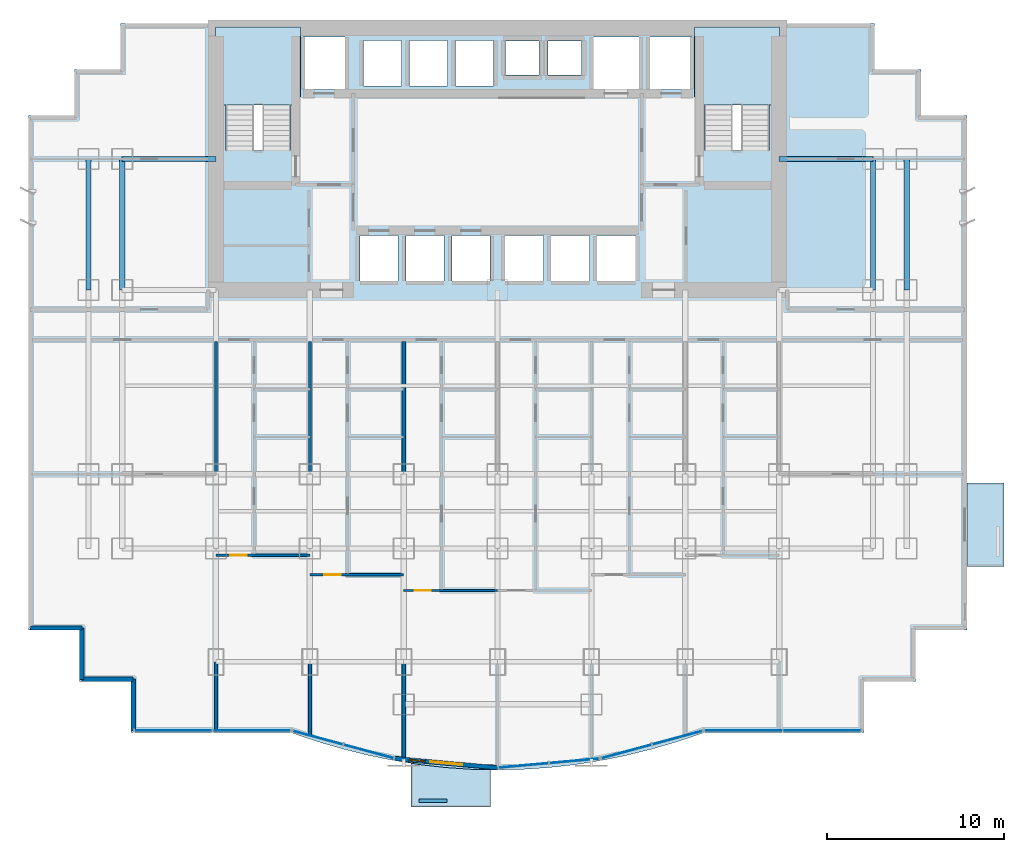
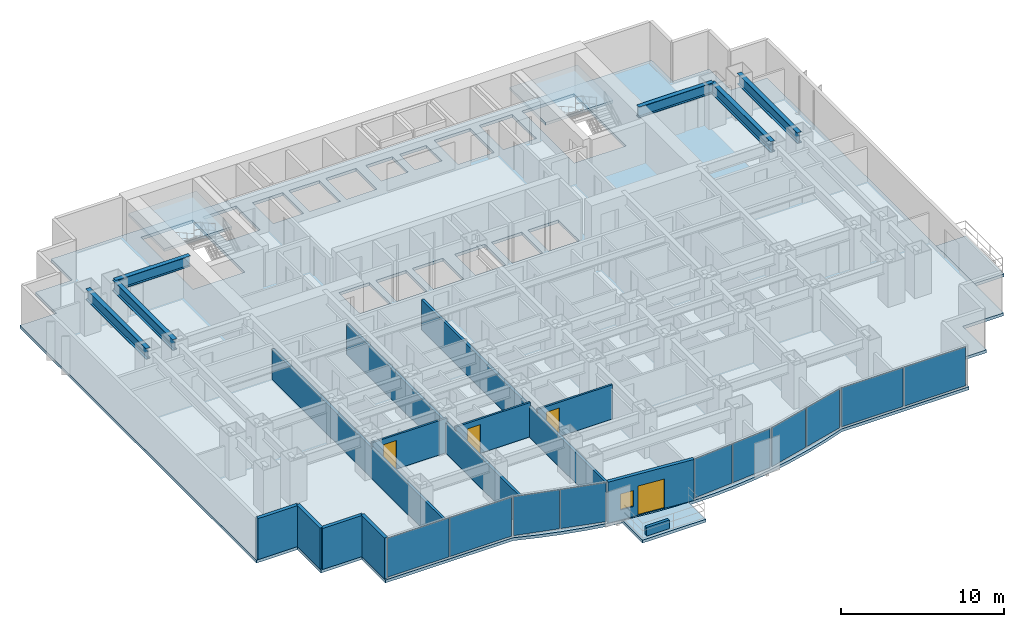
# One storey, part 4 of 10: 12 walls, 10 plates, 6 beams, 5 slabs, 4 doors, 1 window, 5 openings, 7 elements without a shape of their own.
"""IFC4 building model written with IfcOpenShell, lengths in metres."""

from ifc_helpers import new_model, si_unit, direction, frame, frame_2d, origin, origin_2d, place, context, subcontext, project, spatial, polyline, rectangle, i_section, outline, extrude, source, transform, mapped, material, layer, layer_set, material_profile, profile_set, type_object, element, fill, aggregate, save


model = new_model("IFC4")

# Units and contexts
model_context = context("Model", 3, precision=1e-05, world=origin(), true_north=direction((0.0, 1.0)))
body_context = subcontext(model_context, "Body", "Model", "MODEL_VIEW")
ifc_project = project(units=[si_unit("LENGTHUNIT", "METRE"), si_unit("AREAUNIT", "SQUARE_METRE"), si_unit("VOLUMEUNIT", "CUBIC_METRE"), si_unit("PLANEANGLEUNIT", "RADIAN"), si_unit("MASSUNIT", "GRAM", prefix="KILO")], contexts=[model_context])

# Site, building, storey
site_placement = place(None, origin())
site = spatial("IfcSite", under=ifc_project, at=site_placement, CompositionType="ELEMENT")
building_placement = place(site_placement, origin())
building = spatial("IfcBuilding", under=site, at=building_placement, Name="Qianlan Lanfeng Residences", CompositionType="ELEMENT")
storey_placement = place(building_placement, frame((0.0, 0.0, 30.800048828125)))
storey = spatial("IfcBuildingStorey", under=building, at=storey_placement, Name="L07", CompositionType="ELEMENT", Elevation=30.800048828125)

# Beams
ifc_material_1 = material(Name="Steel SN490B", Category="steel")
ifc_material_profile = material_profile(ifc_material_1, i_section(OverallWidth=0.300048828125, OverallDepth=0.800048828125, WebThickness=0.01611328125, FlangeThickness=0.028076171875, at=origin_2d()), Name="H 800x300x16x28")
ifc_profile_set = profile_set([ifc_material_profile], Name="Steel SN490B")
beam_type = type_object("IfcBeamType", Name="G-950", PredefinedType="BEAM", material=ifc_profile_set)
for number, where, z_axis, x_axis, name in (
    (1, (5.300048828125, 32.60009765625, 2.679931640625), (1.0, 0.0, 0.0), (0.0, 1.0, 0.0), "Structural beam G-950"),
    (2, (42.39990234375, 32.60009765625, 2.679931640625), (1.0, 0.0, 0.0), (0.0, 1.0, 0.0), "Structural beam G-950"),
):
    element("IfcBeam", number, at=place(storey_placement, frame(where, z_axis=z_axis, x_axis=x_axis)), inside=storey, type_object=beam_type, Name=name, PredefinedType="BEAM", context=body_context, shape_type="SweptSolid", body=[
        extrude(i_section(OverallWidth=0.300048828125, OverallDepth=0.800048828125, WebThickness=0.01611328125, FlangeThickness=0.028076171875, at=origin_2d()), origin(), (0.0, 0.0, 1.0), 5.300048828125),
    ])
for number, where, z_axis, x_axis, name in (
    (3, (3.39990234375, 25.199951171875, 2.679931640625), (0.0, 1.0, 0.0), (-1.0, 0.0, 0.0), "Structural beam G-950"),
    (4, (5.300048828125, 25.199951171875, 2.679931640625), (0.0, 1.0, 0.0), (-1.0, 0.0, 0.0), "Structural beam G-950"),
    (5, (47.699951171875, 25.199951171875, 2.679931640625), (0.0, 1.0, 0.0), (-1.0, 0.0, 0.0), "Structural beam G-950"),
    (6, (49.60009765625, 25.199951171875, 2.679931640625), (0.0, 1.0, 0.0), (-1.0, 0.0, 0.0), "Structural beam G-950"),
):
    element("IfcBeam", number, at=place(storey_placement, frame(where, z_axis=z_axis, x_axis=x_axis)), inside=storey, type_object=beam_type, Name=name, PredefinedType="BEAM", context=body_context, shape_type="SweptSolid", body=[
        extrude(i_section(OverallWidth=0.300048828125, OverallDepth=0.800048828125, WebThickness=0.01611328125, FlangeThickness=0.028076171875, at=origin_2d()), origin(), (0.0, 0.0, 1.0), 7.400146484375),
    ])

# Slabs
ifc_material_2 = material(Name="Concrete C42", Category="concrete")
ifc_layer_1 = layer(ifc_material_2, 0.219970703125)
ifc_layer_set_1 = layer_set([ifc_layer_1], Name="Concrete C42")
slab_type_1 = type_object("IfcSlabType", Name="S-BAL-220", PredefinedType="FLOOR", material=ifc_layer_set_1)
slab_1_placement = place(storey_placement, frame((0.0, 0.0, -0.219970703125)))
element("IfcSlab", 7, at=slab_1_placement, inside=storey, type_object=slab_type_1, Name="L07 Planted Tree Balcony Slab SB-C", PredefinedType="FLOOR", context=body_context, shape_type="SweptSolid", body=[
    extrude(outline(polyline([(26.10009765625, -1.89111328125), (25.0439453125, -1.866943359375), (23.5869140625, -1.76904296875), (22.131103515625, -1.60498046875), (21.60009765625, -1.52099609375), (21.60009765625, -4.0), (26.10009765625, -4.0), (26.10009765625, -1.89111328125)])), origin(), (0.0, 0.0, 1.0), 0.219970703125),
])
slab_2_placement = place(storey_placement, frame((0.0, 0.0, -0.219970703125)))
element("IfcSlab", 8, at=slab_2_placement, inside=storey, type_object=slab_type_1, Name="L07 Planted Tree Balcony Slab EB-S", PredefinedType="FLOOR", context=body_context, shape_type="SweptSolid", body=[
    extrude(outline(polyline([(53.0, 14.300048828125), (53.0, 9.60009765625), (55.10009765625, 9.60009765625), (55.10009765625, 14.300048828125), (53.0, 14.300048828125)])), origin(), (0.0, 0.0, 1.0), 0.219970703125),
])
ifc_layer_2 = layer(ifc_material_2, 0.219970703125)
ifc_layer_set_2 = layer_set([ifc_layer_2], Name="Concrete C42")
slab_type_2 = type_object("IfcSlabType", Name="S-FL-220", PredefinedType="FLOOR", material=ifc_layer_set_2)
slab_3_placement = place(storey_placement, frame((0.0, 0.0, -0.219970703125)))
element("IfcSlab", 9, at=slab_3_placement, inside=storey, type_object=slab_type_2, Name="L07 Structural Floor Slab", PredefinedType="FLOOR", context=body_context, shape_type="SweptSolid", body=[
    extrude(outline(polyline([(0.0, 6.0), (2.89990234375, 6.0), (2.89990234375, 3.10009765625), (5.800048828125, 3.10009765625), (5.800048828125, 0.199951171875), (14.85009765625, 0.199951171875), (16.305908203125, -0.2919921875), (17.761962890625, -0.718994140625), (19.218994140625, -1.080078125), (20.675048828125, -1.375), (22.131103515625, -1.60498046875), (23.5869140625, -1.76904296875), (25.0439453125, -1.866943359375), (26.5, -1.89990234375), (27.9560546875, -1.866943359375), (29.412109375, -1.76904296875), (30.868896484375, -1.60498046875), (32.324951171875, -1.375), (33.781005859375, -1.080078125), (35.237060546875, -0.718994140625), (36.694091796875, -0.2919921875), (38.14990234375, 0.199951171875), (47.199951171875, 0.199951171875), (47.199951171875, 3.10009765625), (50.10009765625, 3.10009765625), (50.10009765625, 6.0), (53.0, 6.0), (53.0, 35.050048828125), (50.39990234375, 35.050048828125), (50.39990234375, 37.64990234375), (47.800048828125, 37.64990234375), (47.800048828125, 40.25), (5.199951171875, 40.25), (5.199951171875, 37.64990234375), (2.60009765625, 37.64990234375), (2.60009765625, 35.050048828125), (0.0, 35.050048828125), (0.0, 6.0)]), holes=[polyline([(11.139892578125, 33.080078125), (11.139892578125, 39.5), (14.820068359375, 39.5), (14.820068359375, 33.080078125), (11.139892578125, 33.080078125)]), polyline([(38.179931640625, 33.080078125), (38.179931640625, 39.5), (41.860107421875, 39.5), (41.860107421875, 33.080078125), (38.179931640625, 33.080078125)]), polyline([(15.52001953125, 36.52001953125), (15.52001953125, 39.47998046875), (17.8798828125, 39.47998046875), (17.8798828125, 36.52001953125), (15.52001953125, 36.52001953125)]), polyline([(35.1201171875, 36.52001953125), (35.1201171875, 39.47998046875), (37.47998046875, 39.47998046875), (37.47998046875, 36.52001953125), (35.1201171875, 36.52001953125)]), polyline([(31.919921875, 36.52001953125), (31.919921875, 39.47998046875), (34.47998046875, 39.47998046875), (34.47998046875, 36.52001953125), (31.919921875, 36.52001953125)]), polyline([(18.719970703125, 25.719970703125), (18.719970703125, 28.280029296875), (20.8798828125, 28.280029296875), (20.8798828125, 25.719970703125), (18.719970703125, 25.719970703125)]), polyline([(21.320068359375, 25.719970703125), (21.320068359375, 28.280029296875), (23.47998046875, 28.280029296875), (23.47998046875, 25.719970703125), (21.320068359375, 25.719970703125)]), polyline([(23.919921875, 25.719970703125), (23.919921875, 28.280029296875), (26.080078125, 28.280029296875), (26.080078125, 25.719970703125), (23.919921875, 25.719970703125)]), polyline([(26.919921875, 25.719970703125), (26.919921875, 28.280029296875), (29.080078125, 28.280029296875), (29.080078125, 25.719970703125), (26.919921875, 25.719970703125)]), polyline([(29.52001953125, 25.719970703125), (29.52001953125, 28.280029296875), (31.679931640625, 28.280029296875), (31.679931640625, 25.719970703125), (29.52001953125, 25.719970703125)]), polyline([(32.1201171875, 25.719970703125), (32.1201171875, 28.280029296875), (34.280029296875, 28.280029296875), (34.280029296875, 25.719970703125), (32.1201171875, 25.719970703125)]), polyline([(18.919921875, 36.719970703125), (18.919921875, 39.280029296875), (21.080078125, 39.280029296875), (21.080078125, 36.719970703125), (18.919921875, 36.719970703125)]), polyline([(21.52001953125, 36.719970703125), (21.52001953125, 39.280029296875), (23.679931640625, 39.280029296875), (23.679931640625, 36.719970703125), (21.52001953125, 36.719970703125)]), polyline([(24.1201171875, 36.719970703125), (24.1201171875, 39.280029296875), (26.280029296875, 39.280029296875), (26.280029296875, 36.719970703125), (24.1201171875, 36.719970703125)]), polyline([(26.949951171875, 37.35009765625), (26.949951171875, 39.25), (28.85009765625, 39.25), (28.85009765625, 37.35009765625), (26.949951171875, 37.35009765625)]), polyline([(29.35009765625, 37.35009765625), (29.35009765625, 39.25), (31.25, 39.25), (31.25, 37.35009765625), (29.35009765625, 37.35009765625)])]), origin(), (0.0, 0.0, 1.0), 0.219970703125),
])

# Stair, slab
stair_type = type_object("IfcStairType", Name="STR-MAIN", PredefinedType="HALF_TURN_STAIR", material=ifc_material_2)
stair_1_placement = place(storey_placement, origin())
stair_1 = element("IfcStair", 10, at=stair_1_placement, inside=storey, type_object=stair_type, Name="L07 Exit Stair ST-1", PredefinedType="HALF_TURN_STAIR")
ifc_layer_3 = layer(ifc_material_2, 0.179931640625)
ifc_layer_set_3 = layer_set([ifc_layer_3], Name="Concrete C42")
slab_type_3 = type_object("IfcSlabType", Name="S-LND-180", PredefinedType="LANDING", material=ifc_layer_set_3)
slab_4_placement = place(storey_placement, frame((0.0, 0.0, 1.449951171875)))
slab_4 = element("IfcSlab", 11, at=slab_4_placement, type_object=slab_type_3, Name="ST-1 landing 1", PredefinedType="LANDING", context=body_context, shape_type="SweptSolid", body=[
    extrude(outline(polyline([(10.580078125, 35.659912109375), (15.3798828125, 35.659912109375), (15.3798828125, 40.050048828125), (10.580078125, 40.050048828125), (10.580078125, 35.659912109375)])), origin(), (0.0, 0.0, 1.0), 0.199951171875),
])
aggregate(stair_1, [slab_4])

stair_2_placement = place(storey_placement, origin())
stair_2 = element("IfcStair", 12, at=stair_2_placement, inside=storey, type_object=stair_type, Name="L07 Exit Stair ST-2", PredefinedType="HALF_TURN_STAIR")
slab_5_placement = place(storey_placement, frame((0.0, 0.0, 1.449951171875)))
slab_5 = element("IfcSlab", 13, at=slab_5_placement, type_object=slab_type_3, Name="ST-2 landing 1", PredefinedType="LANDING", context=body_context, shape_type="SweptSolid", body=[
    extrude(outline(polyline([(37.6201171875, 35.659912109375), (42.419921875, 35.659912109375), (42.419921875, 40.050048828125), (37.6201171875, 40.050048828125), (37.6201171875, 35.659912109375)])), origin(), (0.0, 0.0, 1.0), 0.199951171875),
])
aggregate(stair_2, [slab_5])

# Curtain wall, plate
ifc_material_3 = material(Name="Anodised Bronze Aluminium 6063-T6", Category="aluminium")
ifc_layer_4 = layer(ifc_material_3, 0.219970703125)
ifc_layer_set_4 = layer_set([ifc_layer_4], Name="Anodised Bronze Aluminium 6063-T6")
curtain_wall_type = type_object("IfcCurtainWallType", Name="CW-02", PredefinedType="NOTDEFINED", material=ifc_layer_set_4)
curtain_wall_1_placement = place(storey_placement, origin())
curtain_wall_1 = element("IfcCurtainWall", 14, at=curtain_wall_1_placement, inside=storey, type_object=curtain_wall_type, Name="L07 Unitised Curtain Wall CWR-L07-02 (CW-02)", PredefinedType="NOTDEFINED")
ifc_material_4 = material(Name="Dark Bronze Tinted Insulated Glass", Category="glass")
ifc_layer_5 = layer(ifc_material_4, 0.0380859375)
ifc_layer_set_5 = layer_set([ifc_layer_5], Name="Dark Bronze Tinted Insulated Glass")
plate_type_1 = type_object("IfcPlateType", Name="PNL-GLZ-BRZ", PredefinedType="CURTAIN_PANEL", material=ifc_layer_set_5)
shared_shape_1 = source(origin(), body_context, "Body", "SweptSolid", [
    extrude(rectangle(XDim=2.89990234375, YDim=0.0380859375, at=origin_2d()), origin(), (0.0, 0.0, 1.0), 2.922119140625),
])
plate_1_placement = place(storey_placement, frame((16.345703125, -0.07958984375, 0.0791015625), z_axis=(0.0, 0.0, 1.0), x_axis=(0.9652627173, -0.261281240412, 0.0)))
plate_1 = element("IfcPlate", 15, at=plate_1_placement, type_object=plate_type_1, Name="CWR-L07-02 Curtain Panel 1", PredefinedType="CURTAIN_PANEL", context=body_context, shape_type="MappedRepresentation", body=[
    mapped(shared_shape_1, transform((0.0, 0.0, 0.0), scale=1.0)),
])

curtain_wall_2_placement = place(storey_placement, origin())
curtain_wall_2 = element("IfcCurtainWall", 16, at=curtain_wall_2_placement, inside=storey, type_object=curtain_wall_type, Name="L07 Unitised Curtain Wall CWR-L07-04 (CW-02)", PredefinedType="NOTDEFINED")
plate_2_placement = place(storey_placement, frame((33.77978515625, -0.857421875, 0.0791015625), z_axis=(0.0, 0.0, 1.0), x_axis=(0.9652627173, 0.261281240412, 0.0)))
plate_2 = element("IfcPlate", 17, at=plate_2_placement, type_object=plate_type_1, Name="CWR-L07-04 Curtain Panel 1", PredefinedType="CURTAIN_PANEL", context=body_context, shape_type="MappedRepresentation", body=[
    mapped(shared_shape_1, transform((0.0, 0.0, 0.0), scale=1.0)),
])

# Curtain wall, plates
curtain_wall_3_placement = place(storey_placement, origin())
curtain_wall_3 = element("IfcCurtainWall", 18, at=curtain_wall_3_placement, inside=storey, type_object=curtain_wall_type, Name="L07 Unitised Curtain Wall CWR-L07-03 (CW-02)", PredefinedType="NOTDEFINED")
shared_shape_2 = source(origin(), body_context, "Body", "SweptSolid", [
    extrude(rectangle(XDim=2.7958984375, YDim=0.0380859375, at=origin_2d()), origin(), (0.0, 0.0, 1.0), 2.922119140625),
])
plate_3_placement = place(storey_placement, frame((27.970947265625, -1.6474609375, 0.0791015625), z_axis=(0.0, 0.0, 1.0), x_axis=(0.995964677764, 0.089746089862, 0.0)))
plate_3 = element("IfcPlate", 19, at=plate_3_placement, type_object=plate_type_1, Name="CWR-L07-03 Curtain Panel 1", PredefinedType="CURTAIN_PANEL", context=body_context, shape_type="MappedRepresentation", body=[
    mapped(shared_shape_2, transform((0.0, 0.0, 0.0), scale=1.0)),
])
shared_shape_3 = source(origin(), body_context, "Body", "SweptSolid", [
    extrude(rectangle(XDim=2.795654296875, YDim=0.0380859375, at=origin_2d()), origin(), (0.0, 0.0, 1.0), 2.922119140625),
])
plate_4_placement = place(storey_placement, frame((30.8330078125, -1.389404296875, 0.0791015625), z_axis=(0.0, 0.0, 1.0), x_axis=(0.995964677764, 0.089746089862, 0.0)))
plate_4 = element("IfcPlate", 20, at=plate_4_placement, type_object=plate_type_1, Name="CWR-L07-03 Curtain Panel 2", PredefinedType="CURTAIN_PANEL", context=body_context, shape_type="MappedRepresentation", body=[
    mapped(shared_shape_3, transform((0.0, 0.0, 0.0), scale=1.0)),
])
aggregate(curtain_wall_3, [plate_3, plate_4])

# Plate
ifc_material_5 = material(Name="Perforated Anodised Bronze Aluminium Panel", Category="aluminium")
ifc_layer_6 = layer(ifc_material_5, 0.0419921875)
ifc_layer_set_6 = layer_set([ifc_layer_6], Name="Perforated Anodised Bronze Aluminium Panel")
plate_type_2 = type_object("IfcPlateType", Name="PNL-PRF-BRZ", PredefinedType="CURTAIN_PANEL", material=ifc_layer_set_6)
shared_shape_4 = source(origin(), body_context, "Body", "SweptSolid", [
    extrude(rectangle(XDim=2.89990234375, YDim=0.0419921875, at=origin_2d()), origin(), (0.0, 0.0, 1.0), 2.922119140625),
])
plate_5_placement = place(storey_placement, frame((19.22021484375, -0.857421875, 0.0791015625), z_axis=(0.0, 0.0, 1.0), x_axis=(0.9652627173, -0.261281240412, 0.0)))
plate_5 = element("IfcPlate", 21, at=plate_5_placement, type_object=plate_type_2, Name="CWR-L07-02 Curtain Panel 2", PredefinedType="CURTAIN_PANEL", context=body_context, shape_type="MappedRepresentation", body=[
    mapped(shared_shape_4, transform((0.0, 0.0, 0.0), scale=1.0)),
])

aggregate(curtain_wall_1, [plate_1, plate_5])

plate_6_placement = place(storey_placement, frame((36.654296875, -0.07958984375, 0.0791015625), z_axis=(0.0, 0.0, 1.0), x_axis=(0.9652627173, 0.261281240412, 0.0)))
plate_6 = element("IfcPlate", 22, at=plate_6_placement, type_object=plate_type_2, Name="CWR-L07-04 Curtain Panel 2", PredefinedType="CURTAIN_PANEL", context=body_context, shape_type="MappedRepresentation", body=[
    mapped(shared_shape_4, transform((0.0, 0.0, 0.0), scale=1.0)),
])

aggregate(curtain_wall_2, [plate_2, plate_6])

# Curtain wall, plates
curtain_wall_4_placement = place(storey_placement, origin())
curtain_wall_4 = element("IfcCurtainWall", 23, at=curtain_wall_4_placement, inside=storey, type_object=curtain_wall_type, Name="L07 Unitised Curtain Wall CWR-L07-01 (CW-02)", PredefinedType="NOTDEFINED")
shared_shape_5 = source(origin(), body_context, "Body", "SweptSolid", [
    extrude(rectangle(XDim=4.35693359375, YDim=0.0380859375, at=origin_2d()), origin(), (0.0, 0.0, 1.0), 2.922119140625),
])
plate_7_placement = place(storey_placement, frame((8.177490234375, 0.320068359375, 0.0791015625), z_axis=(0.0, 0.0, 1.0), x_axis=(1.0, 0.0, 0.0)))
plate_7 = element("IfcPlate", 24, at=plate_7_placement, type_object=plate_type_1, Name="CWR-L07-01 Curtain Panel 1", PredefinedType="CURTAIN_PANEL", context=body_context, shape_type="MappedRepresentation", body=[
    mapped(shared_shape_5, transform((0.0, 0.0, 0.0), scale=1.0)),
])
plate_8_placement = place(storey_placement, frame((12.612548828125, 0.320068359375, 0.0791015625), z_axis=(0.0, 0.0, 1.0), x_axis=(1.0, 0.0, 0.0)))
plate_8 = element("IfcPlate", 25, at=plate_8_placement, type_object=plate_type_1, Name="CWR-L07-01 Curtain Panel 2", PredefinedType="CURTAIN_PANEL", context=body_context, shape_type="MappedRepresentation", body=[
    mapped(shared_shape_5, transform((0.0, 0.0, 0.0), scale=1.0)),
])
aggregate(curtain_wall_4, [plate_7, plate_8])

curtain_wall_5_placement = place(storey_placement, origin())
curtain_wall_5 = element("IfcCurtainWall", 26, at=curtain_wall_5_placement, inside=storey, type_object=curtain_wall_type, Name="L07 Unitised Curtain Wall CWR-L07-05 (CW-02)", PredefinedType="NOTDEFINED")
plate_9_placement = place(storey_placement, frame((40.387451171875, 0.320068359375, 0.0791015625), z_axis=(0.0, 0.0, 1.0), x_axis=(1.0, 0.0, 0.0)))
plate_9 = element("IfcPlate", 27, at=plate_9_placement, type_object=plate_type_1, Name="CWR-L07-05 Curtain Panel 1", PredefinedType="CURTAIN_PANEL", context=body_context, shape_type="MappedRepresentation", body=[
    mapped(shared_shape_5, transform((0.0, 0.0, 0.0), scale=1.0)),
])
plate_10_placement = place(storey_placement, frame((44.822509765625, 0.320068359375, 0.0791015625), z_axis=(0.0, 0.0, 1.0), x_axis=(1.0, 0.0, 0.0)))
plate_10 = element("IfcPlate", 28, at=plate_10_placement, type_object=plate_type_1, Name="CWR-L07-05 Curtain Panel 2", PredefinedType="CURTAIN_PANEL", context=body_context, shape_type="MappedRepresentation", body=[
    mapped(shared_shape_5, transform((0.0, 0.0, 0.0), scale=1.0)),
])
aggregate(curtain_wall_5, [plate_9, plate_10])

# Walls
ifc_layer_7 = layer(ifc_material_2, 0.239990234375)
ifc_layer_set_7 = layer_set([ifc_layer_7], Name="Concrete C42")
wall_type_1 = type_object("IfcWallType", Name="EW-240", PredefinedType="SOLIDWALL", material=ifc_layer_set_7)
wall_1_placement = place(storey_placement, frame((0.1201171875, 6.1201171875, 0.0), z_axis=(0.0, 0.0, 1.0), x_axis=(1.0, 0.0, 0.0)))
element("IfcWall", 29, at=wall_1_placement, inside=storey, type_object=wall_type_1, Name="L07 Exterior Facade Spandrel Wall 1", PredefinedType="SOLIDWALL", context=body_context, shape_type="SweptSolid", body=[
    extrude(rectangle(XDim=2.89990234375, YDim=0.239990234375, at=frame_2d((1.449951171875, 0.0))), origin(), (0.0, 0.0, 1.0), 3.079833984375),
])
wall_2_placement = place(storey_placement, frame((3.02001953125, 6.1201171875, 0.0), z_axis=(0.0, 0.0, 1.0), x_axis=(0.0, -1.0, 0.0)))
element("IfcWall", 30, at=wall_2_placement, inside=storey, type_object=wall_type_1, Name="L07 Exterior Facade Spandrel Wall 2", PredefinedType="SOLIDWALL", context=body_context, shape_type="SweptSolid", body=[
    extrude(rectangle(XDim=2.900146484375, YDim=0.239990234375, at=frame_2d((1.4501953125, 0.0))), origin(), (0.0, 0.0, 1.0), 3.079833984375),
])
for number, where, z_axis, x_axis, name in (
    (31, (3.02001953125, 3.219970703125, 0.0), (0.0, 0.0, 1.0), (1.0, 0.0, 0.0), "L07 Exterior Facade Spandrel Wall 3"),
    (32, (5.919921875, 3.219970703125, 0.0), (0.0, 0.0, 1.0), (0.0, -1.0, 0.0), "L07 Exterior Facade Spandrel Wall 4"),
):
    element("IfcWall", number, at=place(storey_placement, frame(where, z_axis=z_axis, x_axis=x_axis)), inside=storey, type_object=wall_type_1, Name=name, PredefinedType="SOLIDWALL", context=body_context, shape_type="SweptSolid", body=[
        extrude(rectangle(XDim=2.89990234375, YDim=0.239990234375, at=frame_2d((1.449951171875, 0.0))), origin(), (0.0, 0.0, 1.0), 3.079833984375),
    ])

# Wall, openings, door, window
wall_3_placement = place(storey_placement, frame((20.696044921875, -1.257080078125, 0.0), z_axis=(0.0, 0.0, 1.0), x_axis=(0.995965344947, -0.089738685436, 0.0)))
wall_3 = element("IfcWall", 33, at=wall_3_placement, inside=storey, type_object=wall_type_1, Name="L07 Terrace/Balcony Access Exterior Wall 5", PredefinedType="SOLIDWALL", context=body_context, shape_type="SweptSolid", body=[
    extrude(rectangle(XDim=5.827392578125, YDim=0.239990234375, at=frame_2d((2.91357421875, 0.0))), origin(), (0.0, 0.0, 1.0), 3.079833984375),
])
opening_1_placement = place(wall_3_placement, frame((2.013916015625, 0.0, 0.0)))
opening_1 = element("IfcOpeningElement", 34, at=opening_1_placement, cuts=wall_3, Name="Opening L07-D-SB-C", PredefinedType="OPENING", context=body_context, shape_type="SweptSolid", body=[
    extrude(rectangle(XDim=1.800048828125, YDim=2.199951171875, at=frame_2d((0.89990234375, 1.10009765625))), frame((0.0, 0.1298828125, 0.0), z_axis=(0.0, -1.0, 0.0), x_axis=(1.0, 0.0, 0.0)), (0.0, 0.0, 1.0), 0.260009765625),
])
opening_2_placement = place(wall_3_placement, frame((0.822021484375, 0.0, 0.75)))
opening_2 = element("IfcOpeningElement", 35, at=opening_2_placement, cuts=wall_3, Name="Opening W-04", PredefinedType="OPENING", context=body_context, shape_type="SweptSolid", body=[
    extrude(rectangle(XDim=0.89990234375, YDim=1.199951171875, at=frame_2d((0.449951171875, 0.60009765625))), frame((0.0, 0.1298828125, 0.0), z_axis=(0.0, -1.0, 0.0), x_axis=(1.0, 0.0, 0.0)), (0.0, 0.0, 1.0), 0.260009765625),
])
ifc_material_6 = material(Name="Anodised Bronze Aluminium Framed Glass", Category="aluminium")
door_type_1 = type_object("IfcDoorType", Name="DT-BAL1", OperationType="NOTDEFINED", PredefinedType="DOOR", material=ifc_material_6)
door_1_placement = place(opening_1_placement, frame((1.800048828125, 0.0, 0.0), z_axis=(0.0, 0.0, 1.0), x_axis=(-1.0, 0.0, 0.0)))
door_1 = element("IfcDoor", 36, at=door_1_placement, inside=storey, type_object=door_type_1, Name="L07 Exterior Access Door SB-C", OperationType="DOUBLE_DOOR_SLIDING", OverallHeight=2.199951171875, OverallWidth=1.800048828125, PredefinedType="DOOR", context=body_context, shape_type="SweptSolid", body=[
    extrude(rectangle(XDim=1.800048828125, YDim=2.199951171875, at=frame_2d((0.89990234375, 1.10009765625))), frame((0.0, 0.02490234375, 0.0), z_axis=(0.0, -1.0, 0.0), x_axis=(1.0, 0.0, 0.0)), (0.0, 0.0, 1.0), 0.050048828125),
])
fill(opening_1, door_1)
ifc_material_7 = material(Name="Anodised Bronze Aluminium Framed Double Glazing", Category="aluminium")
window_type = type_object("IfcWindowType", Name="W-04", PartitioningType="SINGLE_PANEL", PredefinedType="WINDOW", material=ifc_material_7)
window_placement = place(opening_2_placement, origin())
window = element("IfcWindow", 37, at=window_placement, inside=storey, type_object=window_type, Name="L07 Exterior Window W-04", OverallHeight=1.199951171875, OverallWidth=0.89990234375, PartitioningType="SINGLE_PANEL", PredefinedType="WINDOW", context=body_context, shape_type="SweptSolid", body=[
    extrude(rectangle(XDim=0.89990234375, YDim=1.199951171875, at=frame_2d((0.449951171875, 0.60009765625))), frame((0.0, 0.030029296875, 0.0), z_axis=(0.0, -1.0, 0.0), x_axis=(1.0, 0.0, 0.0)), (0.0, 0.0, 1.0), 0.06005859375),
])
fill(opening_2, window)

# Wall
ifc_layer_8 = layer(ifc_material_2, 0.199951171875)
ifc_layer_set_8 = layer_set([ifc_layer_8], Name="Concrete C42")
wall_type_2 = type_object("IfcWallType", Name="PL-TREE-200", PredefinedType="PARAPET", material=ifc_layer_set_8)
wall_4_placement = place(storey_placement, frame((22.050048828125, -3.64990234375, 0.0), z_axis=(0.0, 0.0, 1.0), x_axis=(1.0, 0.0, 0.0)))
element("IfcWall", 38, at=wall_4_placement, inside=storey, type_object=wall_type_2, Name="L07 Balcony Tree Planter Curb SB-C", PredefinedType="PARAPET", context=body_context, shape_type="SweptSolid", body=[
    extrude(rectangle(XDim=1.599853515625, YDim=0.199951171875, at=frame_2d((0.7998046875, 0.0))), origin(), (0.0, 0.0, 1.0), 0.64990234375),
])

# Wall, opening, door
ifc_material_8 = material(Name="Moisture-Resistant Gypsum Partition 135 mm")
ifc_layer_9 = layer(ifc_material_8, 0.135009765625)
ifc_layer_set_9 = layer_set([ifc_layer_9], Name="Moisture-Resistant Gypsum Partition 135 mm")
wall_type_3 = type_object("IfcWallType", Name="PW-135", PredefinedType="PARTITIONING", material=ifc_layer_set_9)
wall_5_placement = place(storey_placement, frame((10.60009765625, 10.219970703125, 0.0), z_axis=(0.0, 0.0, 1.0), x_axis=(1.0, 0.0, 0.0)))
wall_5 = element("IfcWall", 39, at=wall_5_placement, inside=storey, type_object=wall_type_3, Name="L07 U01 Living Divider", PredefinedType="PARTITIONING", context=body_context, shape_type="SweptSolid", body=[
    extrude(rectangle(XDim=5.2998046875, YDim=0.135009765625, at=frame_2d((2.64990234375, 0.0))), origin(), (0.0, 0.0, 1.0), 2.570068359375),
])
opening_3_placement = place(wall_5_placement, frame((0.81494140625, 0.0, 0.0)))
opening_3 = element("IfcOpeningElement", 40, at=opening_3_placement, cuts=wall_5, Name="Opening L07-D15", PredefinedType="OPENING", context=body_context, shape_type="SweptSolid", body=[
    extrude(rectangle(XDim=0.919921875, YDim=2.14990234375, at=frame_2d((0.4599609375, 1.074951171875))), frame((0.0, 0.07763671875, 0.0), z_axis=(0.0, -1.0, 0.0), x_axis=(1.0, 0.0, 0.0)), (0.0, 0.0, 1.0), 0.155029296875),
])
ifc_material_9 = material(Name="Glazed Timber Kitchen/Study Door", Category="wood")
door_type_2 = type_object("IfcDoorType", Name="DT-INT", OperationType="NOTDEFINED", PredefinedType="DOOR", material=ifc_material_9)
door_2_placement = place(opening_3_placement, frame((0.919921875, 0.0, 0.0), z_axis=(0.0, 0.0, 1.0), x_axis=(-1.0, 0.0, 0.0)))
door_2 = element("IfcDoor", 41, at=door_2_placement, inside=storey, type_object=door_type_2, Name="L07 U01 Living Passage Door L07-D15 (DT-INT)", OperationType="SINGLE_SWING_LEFT", OverallHeight=2.14990234375, OverallWidth=0.919921875, PredefinedType="DOOR", context=body_context, shape_type="SweptSolid", body=[
    extrude(rectangle(XDim=0.919921875, YDim=2.14990234375, at=frame_2d((0.4599609375, 1.074951171875))), frame((0.0, 0.02490234375, 0.0), z_axis=(0.0, -1.0, 0.0), x_axis=(1.0, 0.0, 0.0)), (0.0, 0.0, 1.0), 0.050048828125),
])
fill(opening_3, door_2)

wall_6_placement = place(storey_placement, frame((15.89990234375, 9.112060546875, 0.0), z_axis=(0.0, 0.0, 1.0), x_axis=(1.0, 0.0, 0.0)))
wall_6 = element("IfcWall", 42, at=wall_6_placement, inside=storey, type_object=wall_type_3, Name="L07 U02 Living Divider", PredefinedType="PARTITIONING", context=body_context, shape_type="SweptSolid", body=[
    extrude(rectangle(XDim=5.300048828125, YDim=0.135009765625, at=frame_2d((2.64990234375, 0.0))), origin(), (0.0, 0.0, 1.0), 2.570068359375),
])
opening_4_placement = place(wall_6_placement, frame((0.81494140625, 0.0, 0.0)))
opening_4 = element("IfcOpeningElement", 43, at=opening_4_placement, cuts=wall_6, Name="Opening L07-D20", PredefinedType="OPENING", context=body_context, shape_type="SweptSolid", body=[
    extrude(rectangle(XDim=0.919921875, YDim=2.14990234375, at=frame_2d((0.4599609375, 1.074951171875))), frame((0.0, 0.07763671875, 0.0), z_axis=(0.0, -1.0, 0.0), x_axis=(1.0, 0.0, 0.0)), (0.0, 0.0, 1.0), 0.155029296875),
])
door_3_placement = place(opening_4_placement, origin())
door_3 = element("IfcDoor", 44, at=door_3_placement, inside=storey, type_object=door_type_2, Name="L07 U02 Living Passage Door L07-D20 (DT-INT)", OperationType="SINGLE_SWING_LEFT", OverallHeight=2.14990234375, OverallWidth=0.919921875, PredefinedType="DOOR", context=body_context, shape_type="SweptSolid", body=[
    extrude(rectangle(XDim=0.919921875, YDim=2.14990234375, at=frame_2d((0.4599609375, 1.074951171875))), frame((0.0, 0.02490234375, 0.0), z_axis=(0.0, -1.0, 0.0), x_axis=(1.0, 0.0, 0.0)), (0.0, 0.0, 1.0), 0.050048828125),
])
fill(opening_4, door_3)

wall_7_placement = place(storey_placement, frame((21.199951171875, 8.23388671875, 0.0), z_axis=(0.0, 0.0, 1.0), x_axis=(1.0, 0.0, 0.0)))
wall_7 = element("IfcWall", 45, at=wall_7_placement, inside=storey, type_object=wall_type_3, Name="L07 U03 Living Divider", PredefinedType="PARTITIONING", context=body_context, shape_type="SweptSolid", body=[
    extrude(rectangle(XDim=5.300048828125, YDim=0.135009765625, at=frame_2d((2.64990234375, 0.0))), origin(), (0.0, 0.0, 1.0), 2.570068359375),
])
opening_5_placement = place(wall_7_placement, frame((0.614990234375, 0.0, 0.0)))
opening_5 = element("IfcOpeningElement", 46, at=opening_5_placement, cuts=wall_7, Name="Opening L07-D25", PredefinedType="OPENING", context=body_context, shape_type="SweptSolid", body=[
    extrude(rectangle(XDim=0.919921875, YDim=2.14990234375, at=frame_2d((0.4599609375, 1.074951171875))), frame((0.0, 0.07763671875, 0.0), z_axis=(0.0, -1.0, 0.0), x_axis=(1.0, 0.0, 0.0)), (0.0, 0.0, 1.0), 0.155029296875),
])
door_4_placement = place(opening_5_placement, frame((0.919921875, 0.0, 0.0), z_axis=(0.0, 0.0, 1.0), x_axis=(-1.0, 0.0, 0.0)))
door_4 = element("IfcDoor", 47, at=door_4_placement, inside=storey, type_object=door_type_2, Name="L07 U03 Living Passage Door L07-D25 (DT-INT)", OperationType="SINGLE_SWING_RIGHT", OverallHeight=2.14990234375, OverallWidth=0.919921875, PredefinedType="DOOR", context=body_context, shape_type="SweptSolid", body=[
    extrude(rectangle(XDim=0.919921875, YDim=2.14990234375, at=frame_2d((0.4599609375, 1.074951171875))), frame((0.0, 0.02490234375, 0.0), z_axis=(0.0, -1.0, 0.0), x_axis=(1.0, 0.0, 0.0)), (0.0, 0.0, 1.0), 0.050048828125),
])
fill(opening_5, door_4)

# Walls
ifc_material_10 = material(Name="Double-Layer Acoustic Gypsum Stud Wall 180 mm")
ifc_layer_10 = layer(ifc_material_10, 0.179931640625)
ifc_layer_set_10 = layer_set([ifc_layer_10], Name="Double-Layer Acoustic Gypsum Stud Wall 180 mm")
wall_type_4 = type_object("IfcWallType", Name="PW-180", PredefinedType="PARTITIONING", material=ifc_layer_set_10)
wall_8_placement = place(storey_placement, frame((10.60009765625, 0.419921875, 0.0), z_axis=(0.0, 0.0, 1.0), x_axis=(0.0, 1.0, 0.0)))
element("IfcWall", 48, at=wall_8_placement, inside=storey, type_object=wall_type_4, Name="L07 Wing Boundary Party Wall W0", PredefinedType="PARTITIONING", context=body_context, shape_type="SweptSolid", body=[
    extrude(rectangle(XDim=21.880126953125, YDim=0.179931640625, at=frame_2d((10.93994140625, 0.0))), origin(), (0.0, 0.0, 1.0), 2.27490234375),
])
wall_9_placement = place(storey_placement, frame((15.89990234375, 0.076904296875, 0.0), z_axis=(0.0, 0.0, 1.0), x_axis=(0.0, 1.0, 0.0)))
element("IfcWall", 49, at=wall_9_placement, inside=storey, type_object=wall_type_4, Name="L07 Inter-Tenancy Party Wall 2", PredefinedType="PARTITIONING", context=body_context, shape_type="SweptSolid", body=[
    extrude(rectangle(XDim=22.22314453125, YDim=0.179931640625, at=frame_2d((11.111572265625, 0.0))), origin(), (0.0, 0.0, 1.0), 2.27490234375),
])
wall_10_placement = place(storey_placement, frame((21.199951171875, -1.235107421875, 0.0), z_axis=(0.0, 0.0, 1.0), x_axis=(0.0, 1.0, 0.0)))
element("IfcWall", 50, at=wall_10_placement, inside=storey, type_object=wall_type_4, Name="L07 Inter-Tenancy Party Wall 3", PredefinedType="PARTITIONING", context=body_context, shape_type="SweptSolid", body=[
    extrude(rectangle(XDim=23.53515625, YDim=0.179931640625, at=frame_2d((11.767578125, 0.0))), origin(), (0.0, 0.0, 1.0), 2.27490234375),
])

save(model, "model.ifc")
